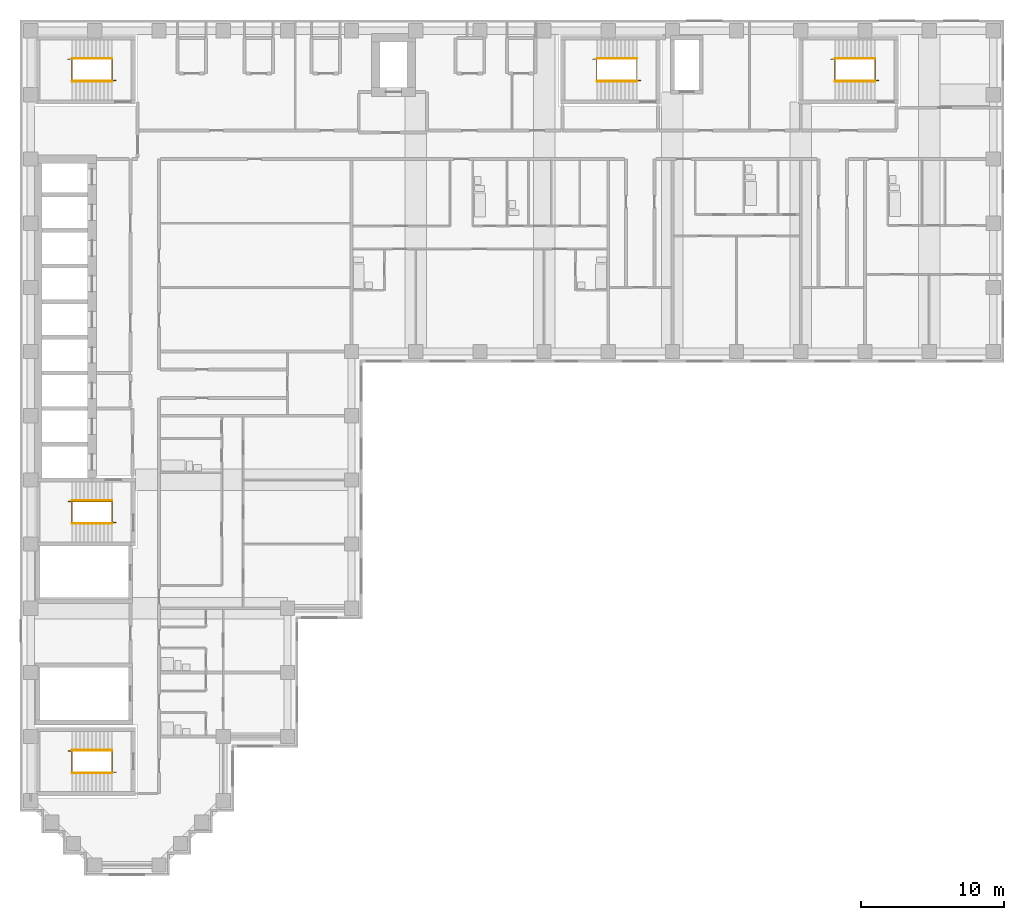
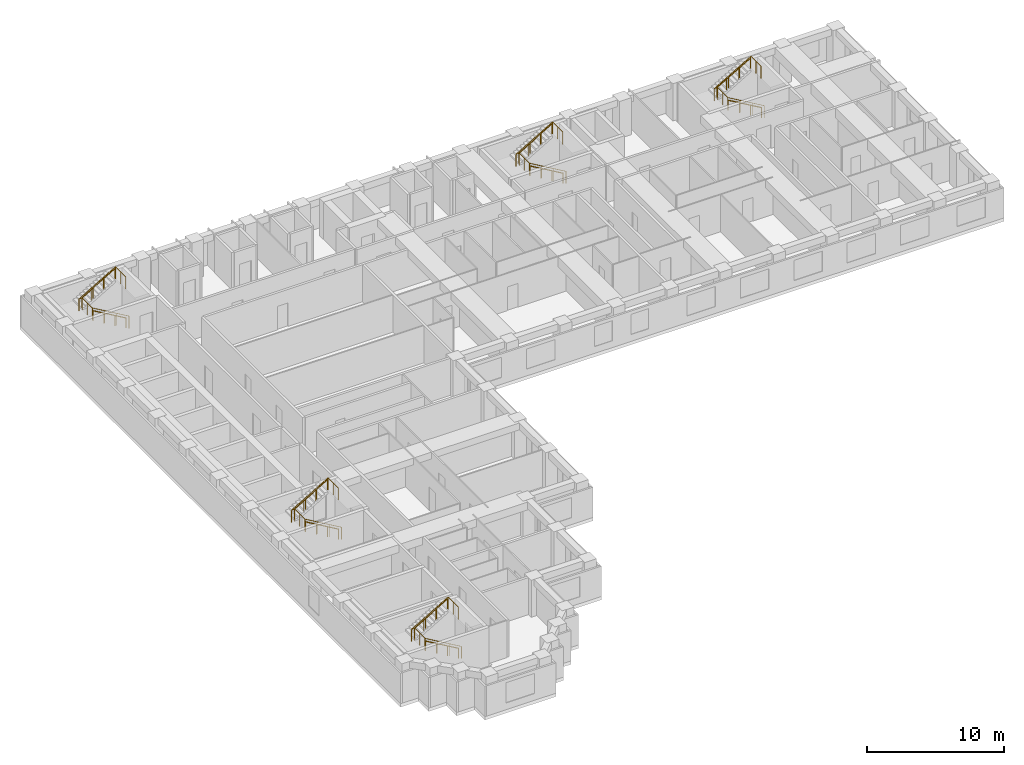
# One storey, part 11 of 12: 15 railings.
"""IFC4 building model written with IfcOpenShell, lengths in metres."""

from ifc_helpers import new_model, si_unit, direction, frame, origin, origin_2d, place, context, subcontext, project, spatial, circle, extrude, material, type_object, element, save


model = new_model("IFC4")

# Units and contexts
model_context = context("Model", 3, precision=1e-05, world=origin(), true_north=direction((0.0, 1.0)))
body_context = subcontext(model_context, "Body", "Model", "MODEL_VIEW")
ifc_project = project(units=[si_unit("LENGTHUNIT", "METRE"), si_unit("AREAUNIT", "SQUARE_METRE"), si_unit("VOLUMEUNIT", "CUBIC_METRE"), si_unit("PLANEANGLEUNIT", "RADIAN"), si_unit("MASSUNIT", "GRAM", prefix="KILO")], contexts=[model_context])

# Site, building, storey
site_placement = place(None, origin())
site = spatial("IfcSite", under=ifc_project, at=site_placement, CompositionType="ELEMENT")
building_placement = place(site_placement, origin())
building = spatial("IfcBuilding", under=site, at=building_placement, Name="Firuza Court", CompositionType="ELEMENT")
storey_placement = place(building_placement, frame((0.0, 0.0, 166.39990234375)))
storey = spatial("IfcBuildingStorey", under=building, at=storey_placement, Name="L42", CompositionType="ELEMENT", Elevation=166.39990234375)

# Railings
ifc_material_1 = material(Name="Steel S355", Category="steel")
railing_type_1 = type_object("IfcRailingType", Name="Handrail 900", PredefinedType="HANDRAIL", material=ifc_material_1)
railing_1_placement = place(storey_placement, frame((42.5, 54.949951171875, 0.163818359375)))
element("IfcRailing", 1, at=railing_1_placement, inside=storey, type_object=railing_type_1, Name="Handrail S1 flight 1", PredefinedType="HANDRAIL", context=body_context, shape_type="SweptSolid", body=[
    extrude(circle(Radius=0.02490234375, at=origin_2d()), frame((0.0, 0.0, 0.875), z_axis=(-0.863393664356, 0.0, 0.504530851732), x_axis=(0.0, -1.0, 0.0)), (0.0, 0.0, 1.0), 3.2431640625),
    extrude(circle(Radius=0.02001953125, at=origin_2d()), origin(), (0.0, 0.0, 1.0), 0.849853515625),
    extrude(circle(Radius=0.02001953125, at=origin_2d()), frame((-0.933349609375, 0.0, 0.54541015625)), (0.0, 0.0, 1.0), 0.849853515625),
    extrude(circle(Radius=0.02001953125, at=origin_2d()), frame((-1.86669921875, 0.0, 1.0908203125)), (0.0, 0.0, 1.0), 0.849853515625),
    extrude(circle(Radius=0.02001953125, at=origin_2d()), frame((-2.800048828125, 0.0, 1.63623046875)), (0.0, 0.0, 1.0), 0.849853515625),
])
railing_2_placement = place(storey_placement, frame((39.699951171875, 56.550048828125, 1.963623046875)))
element("IfcRailing", 2, at=railing_2_placement, inside=storey, type_object=railing_type_1, Name="Handrail S1 flight 2", PredefinedType="HANDRAIL", context=body_context, shape_type="SweptSolid", body=[
    extrude(circle(Radius=0.02490234375, at=origin_2d()), frame((0.0, 0.0, 0.875), z_axis=(0.863360870873, 0.0, 0.504586966384), x_axis=(0.0, 1.0, 0.0)), (0.0, 0.0, 1.0), 3.2431640625),
    extrude(circle(Radius=0.02001953125, at=origin_2d()), origin(), (0.0, 0.0, 1.0), 0.849853515625),
    extrude(circle(Radius=0.02001953125, at=origin_2d()), frame((0.933349609375, 0.0, 0.54541015625)), (0.0, 0.0, 1.0), 0.849853515625),
    extrude(circle(Radius=0.02001953125, at=origin_2d()), frame((1.86669921875, 0.0, 1.091064453125)), (0.0, 0.0, 1.0), 0.849853515625),
    extrude(circle(Radius=0.02001953125, at=origin_2d()), frame((2.800048828125, 0.0, 1.636474609375)), (0.0, 0.0, 1.0), 0.849853515625),
])
railing_3_placement = place(storey_placement, frame((5.699951171875, 23.949951171875, 0.163818359375)))
element("IfcRailing", 3, at=railing_3_placement, inside=storey, type_object=railing_type_1, Name="Handrail S2 flight 1", PredefinedType="HANDRAIL", context=body_context, shape_type="SweptSolid", body=[
    extrude(circle(Radius=0.02490234375, at=origin_2d()), frame((0.0, 0.0, 0.875), z_axis=(-0.863393664356, 0.0, 0.504530851732), x_axis=(0.0, -1.0, 0.0)), (0.0, 0.0, 1.0), 3.2431640625),
    extrude(circle(Radius=0.02001953125, at=origin_2d()), origin(), (0.0, 0.0, 1.0), 0.849853515625),
    extrude(circle(Radius=0.02001953125, at=origin_2d()), frame((-0.933349609375, 0.0, 0.54541015625)), (0.0, 0.0, 1.0), 0.849853515625),
    extrude(circle(Radius=0.02001953125, at=origin_2d()), frame((-1.86669921875, 0.0, 1.0908203125)), (0.0, 0.0, 1.0), 0.849853515625),
    extrude(circle(Radius=0.02001953125, at=origin_2d()), frame((-2.800048828125, 0.0, 1.63623046875)), (0.0, 0.0, 1.0), 0.849853515625),
])
railing_4_placement = place(storey_placement, frame((2.89990234375, 25.550048828125, 1.963623046875)))
element("IfcRailing", 4, at=railing_4_placement, inside=storey, type_object=railing_type_1, Name="Handrail S2 flight 2", PredefinedType="HANDRAIL", context=body_context, shape_type="SweptSolid", body=[
    extrude(circle(Radius=0.02490234375, at=origin_2d()), frame((0.0, 0.0, 0.875), z_axis=(0.863360870873, 0.0, 0.504586966384), x_axis=(0.0, 1.0, 0.0)), (0.0, 0.0, 1.0), 3.2431640625),
    extrude(circle(Radius=0.02001953125, at=origin_2d()), origin(), (0.0, 0.0, 1.0), 0.849853515625),
    extrude(circle(Radius=0.02001953125, at=origin_2d()), frame((0.933349609375, 0.0, 0.54541015625)), (0.0, 0.0, 1.0), 0.849853515625),
    extrude(circle(Radius=0.02001953125, at=origin_2d()), frame((1.86669921875, 0.0, 1.091064453125)), (0.0, 0.0, 1.0), 0.849853515625),
    extrude(circle(Radius=0.02001953125, at=origin_2d()), frame((2.800048828125, 0.0, 1.636474609375)), (0.0, 0.0, 1.0), 0.849853515625),
])
railing_5_placement = place(storey_placement, frame((5.699951171875, 54.949951171875, 0.163818359375)))
element("IfcRailing", 5, at=railing_5_placement, inside=storey, type_object=railing_type_1, Name="Handrail S3 flight 1", PredefinedType="HANDRAIL", context=body_context, shape_type="SweptSolid", body=[
    extrude(circle(Radius=0.02490234375, at=origin_2d()), frame((0.0, 0.0, 0.875), z_axis=(-0.863393664356, 0.0, 0.504530851732), x_axis=(0.0, -1.0, 0.0)), (0.0, 0.0, 1.0), 3.2431640625),
    extrude(circle(Radius=0.02001953125, at=origin_2d()), origin(), (0.0, 0.0, 1.0), 0.849853515625),
    extrude(circle(Radius=0.02001953125, at=origin_2d()), frame((-0.933349609375, 0.0, 0.54541015625)), (0.0, 0.0, 1.0), 0.849853515625),
    extrude(circle(Radius=0.02001953125, at=origin_2d()), frame((-1.86669921875, 0.0, 1.0908203125)), (0.0, 0.0, 1.0), 0.849853515625),
    extrude(circle(Radius=0.02001953125, at=origin_2d()), frame((-2.800048828125, 0.0, 1.63623046875)), (0.0, 0.0, 1.0), 0.849853515625),
])
railing_6_placement = place(storey_placement, frame((2.89990234375, 56.550048828125, 1.963623046875)))
element("IfcRailing", 6, at=railing_6_placement, inside=storey, type_object=railing_type_1, Name="Handrail S3 flight 2", PredefinedType="HANDRAIL", context=body_context, shape_type="SweptSolid", body=[
    extrude(circle(Radius=0.02490234375, at=origin_2d()), frame((0.0, 0.0, 0.875), z_axis=(0.863360870873, 0.0, 0.504586966384), x_axis=(0.0, 1.0, 0.0)), (0.0, 0.0, 1.0), 3.2431640625),
    extrude(circle(Radius=0.02001953125, at=origin_2d()), origin(), (0.0, 0.0, 1.0), 0.849853515625),
    extrude(circle(Radius=0.02001953125, at=origin_2d()), frame((0.933349609375, 0.0, 0.54541015625)), (0.0, 0.0, 1.0), 0.849853515625),
    extrude(circle(Radius=0.02001953125, at=origin_2d()), frame((1.86669921875, 0.0, 1.091064453125)), (0.0, 0.0, 1.0), 0.849853515625),
    extrude(circle(Radius=0.02001953125, at=origin_2d()), frame((2.800048828125, 0.0, 1.636474609375)), (0.0, 0.0, 1.0), 0.849853515625),
])
railing_7_placement = place(storey_placement, frame((59.199951171875, 54.949951171875, 0.163818359375)))
element("IfcRailing", 7, at=railing_7_placement, inside=storey, type_object=railing_type_1, Name="Handrail S4 flight 1", PredefinedType="HANDRAIL", context=body_context, shape_type="SweptSolid", body=[
    extrude(circle(Radius=0.02490234375, at=origin_2d()), frame((0.0, 0.0, 0.875), z_axis=(-0.863393664356, 0.0, 0.504530851732), x_axis=(0.0, -1.0, 0.0)), (0.0, 0.0, 1.0), 3.2431640625),
    extrude(circle(Radius=0.02001953125, at=origin_2d()), origin(), (0.0, 0.0, 1.0), 0.849853515625),
    extrude(circle(Radius=0.02001953125, at=origin_2d()), frame((-0.933349609375, 0.0, 0.54541015625)), (0.0, 0.0, 1.0), 0.849853515625),
    extrude(circle(Radius=0.02001953125, at=origin_2d()), frame((-1.86669921875, 0.0, 1.0908203125)), (0.0, 0.0, 1.0), 0.849853515625),
    extrude(circle(Radius=0.02001953125, at=origin_2d()), frame((-2.800048828125, 0.0, 1.63623046875)), (0.0, 0.0, 1.0), 0.849853515625),
])
railing_8_placement = place(storey_placement, frame((56.39990234375, 56.550048828125, 1.963623046875)))
element("IfcRailing", 8, at=railing_8_placement, inside=storey, type_object=railing_type_1, Name="Handrail S4 flight 2", PredefinedType="HANDRAIL", context=body_context, shape_type="SweptSolid", body=[
    extrude(circle(Radius=0.02490234375, at=origin_2d()), frame((0.0, 0.0, 0.875), z_axis=(0.863360870873, 0.0, 0.504586966384), x_axis=(0.0, 1.0, 0.0)), (0.0, 0.0, 1.0), 3.2431640625),
    extrude(circle(Radius=0.02001953125, at=origin_2d()), origin(), (0.0, 0.0, 1.0), 0.849853515625),
    extrude(circle(Radius=0.02001953125, at=origin_2d()), frame((0.933349609375, 0.0, 0.54541015625)), (0.0, 0.0, 1.0), 0.849853515625),
    extrude(circle(Radius=0.02001953125, at=origin_2d()), frame((1.86669921875, 0.0, 1.091064453125)), (0.0, 0.0, 1.0), 0.849853515625),
    extrude(circle(Radius=0.02001953125, at=origin_2d()), frame((2.800048828125, 0.0, 1.636474609375)), (0.0, 0.0, 1.0), 0.849853515625),
])
railing_9_placement = place(storey_placement, frame((5.699951171875, 6.449951171875, 0.163818359375)))
element("IfcRailing", 9, at=railing_9_placement, inside=storey, type_object=railing_type_1, Name="Handrail S5 flight 1", PredefinedType="HANDRAIL", context=body_context, shape_type="SweptSolid", body=[
    extrude(circle(Radius=0.02490234375, at=origin_2d()), frame((0.0, 0.0, 0.875), z_axis=(-0.863393664356, 0.0, 0.504530851732), x_axis=(0.0, -1.0, 0.0)), (0.0, 0.0, 1.0), 3.2431640625),
    extrude(circle(Radius=0.02001953125, at=origin_2d()), origin(), (0.0, 0.0, 1.0), 0.849853515625),
    extrude(circle(Radius=0.02001953125, at=origin_2d()), frame((-0.933349609375, 0.0, 0.54541015625)), (0.0, 0.0, 1.0), 0.849853515625),
    extrude(circle(Radius=0.02001953125, at=origin_2d()), frame((-1.86669921875, 0.0, 1.0908203125)), (0.0, 0.0, 1.0), 0.849853515625),
    extrude(circle(Radius=0.02001953125, at=origin_2d()), frame((-2.800048828125, 0.0, 1.63623046875)), (0.0, 0.0, 1.0), 0.849853515625),
])
railing_10_placement = place(storey_placement, frame((2.89990234375, 8.050048828125, 1.963623046875)))
element("IfcRailing", 10, at=railing_10_placement, inside=storey, type_object=railing_type_1, Name="Handrail S5 flight 2", PredefinedType="HANDRAIL", context=body_context, shape_type="SweptSolid", body=[
    extrude(circle(Radius=0.02490234375, at=origin_2d()), frame((0.0, 0.0, 0.875), z_axis=(0.863360870873, 0.0, 0.504586966384), x_axis=(0.0, 1.0, 0.0)), (0.0, 0.0, 1.0), 3.2431640625),
    extrude(circle(Radius=0.02001953125, at=origin_2d()), origin(), (0.0, 0.0, 1.0), 0.849853515625),
    extrude(circle(Radius=0.02001953125, at=origin_2d()), frame((0.933349609375, 0.0, 0.54541015625)), (0.0, 0.0, 1.0), 0.849853515625),
    extrude(circle(Radius=0.02001953125, at=origin_2d()), frame((1.86669921875, 0.0, 1.091064453125)), (0.0, 0.0, 1.0), 0.849853515625),
    extrude(circle(Radius=0.02001953125, at=origin_2d()), frame((2.800048828125, 0.0, 1.636474609375)), (0.0, 0.0, 1.0), 0.849853515625),
])
ifc_material_2 = material(Name="Steel S355", Category="steel")
railing_type_2 = type_object("IfcRailingType", Name="Stair guard 1100", PredefinedType="GUARDRAIL", material=ifc_material_2)
railing_11_placement = place(storey_placement, frame((42.780029296875, 55.010009765625, 0.0)))
element("IfcRailing", 11, at=railing_11_placement, inside=storey, type_object=railing_type_2, Name="Stair well guard S1", PredefinedType="GUARDRAIL", context=body_context, shape_type="SweptSolid", body=[
    extrude(circle(Radius=0.02490234375, at=origin_2d()), frame((0.0, 0.0, 1.0751953125), z_axis=(-0.863371556955, 0.0, 0.504568681787), x_axis=(0.0, -1.0, 0.0)), (0.0, 0.0, 1.0), 3.5673828125),
    extrude(circle(Radius=0.02490234375, at=origin_2d()), frame((-3.080078125, 0.0, 2.875), z_axis=(0.0, 1.0, 0.0), x_axis=(-1.0, 0.0, 0.0)), (0.0, 0.0, 1.0), 1.47998046875),
    extrude(circle(Radius=0.02490234375, at=origin_2d()), frame((-3.080078125, 1.47998046875, 2.875), z_axis=(-1.0, 0.0, 0.0), x_axis=(0.0, -1.0, 0.0)), (0.0, 0.0, 1.0), 0.280029296875),
    extrude(circle(Radius=0.02490234375, at=origin_2d()), frame((-3.360107421875, 1.47998046875, 2.875), z_axis=(0.863371556955, 0.0, 0.504568681787), x_axis=(0.0, 1.0, 0.0)), (0.0, 0.0, 1.0), 3.5673828125),
    extrude(circle(Radius=0.02490234375, at=origin_2d()), frame((-0.280029296875, 1.47998046875, 4.67529296875), z_axis=(0.0, -1.0, 0.0), x_axis=(1.0, 0.0, 0.0)), (0.0, 0.0, 1.0), 1.47998046875),
    extrude(circle(Radius=0.02490234375, at=origin_2d()), origin(), (0.0, 0.0, 1.0), 1.050048828125),
    extrude(circle(Radius=0.02490234375, at=origin_2d()), frame((-1.026611328125, 0.0, 0.60009765625)), (0.0, 0.0, 1.0), 1.050048828125),
    extrude(circle(Radius=0.02490234375, at=origin_2d()), frame((-2.053466796875, 0.0, 1.199951171875)), (0.0, 0.0, 1.0), 1.050048828125),
    extrude(circle(Radius=0.02490234375, at=origin_2d()), frame((-3.080078125, 0.0, 1.800048828125)), (0.0, 0.0, 1.0), 1.050048828125),
    extrude(circle(Radius=0.02490234375, at=origin_2d()), frame((-3.080078125, 0.739990234375, 1.800048828125)), (0.0, 0.0, 1.0), 1.050048828125),
    extrude(circle(Radius=0.02490234375, at=origin_2d()), frame((-3.080078125, 1.47998046875, 1.800048828125)), (0.0, 0.0, 1.0), 1.050048828125),
    extrude(circle(Radius=0.02490234375, at=origin_2d()), frame((-3.360107421875, 1.47998046875, 1.800048828125)), (0.0, 0.0, 1.0), 1.050048828125),
    extrude(circle(Radius=0.02490234375, at=origin_2d()), frame((-2.33349609375, 1.47998046875, 2.400146484375)), (0.0, 0.0, 1.0), 1.050048828125),
    extrude(circle(Radius=0.02490234375, at=origin_2d()), frame((-1.306640625, 1.47998046875, 3.0)), (0.0, 0.0, 1.0), 1.050048828125),
    extrude(circle(Radius=0.02490234375, at=origin_2d()), frame((-0.280029296875, 1.47998046875, 3.60009765625)), (0.0, 0.0, 1.0), 1.050048828125),
    extrude(circle(Radius=0.02490234375, at=origin_2d()), frame((-0.280029296875, 0.739990234375, 3.60009765625)), (0.0, 0.0, 1.0), 1.050048828125),
    extrude(circle(Radius=0.02490234375, at=origin_2d()), frame((-0.280029296875, 0.0, 3.60009765625)), (0.0, 0.0, 1.0), 1.050048828125),
])
railing_12_placement = place(storey_placement, frame((5.97998046875, 24.010009765625, 0.0)))
element("IfcRailing", 12, at=railing_12_placement, inside=storey, type_object=railing_type_2, Name="Stair well guard S2", PredefinedType="GUARDRAIL", context=body_context, shape_type="SweptSolid", body=[
    extrude(circle(Radius=0.02490234375, at=origin_2d()), frame((0.0, 0.0, 1.0751953125), z_axis=(-0.863371556955, 0.0, 0.504568681787), x_axis=(0.0, -1.0, 0.0)), (0.0, 0.0, 1.0), 3.5673828125),
    extrude(circle(Radius=0.02490234375, at=origin_2d()), frame((-3.080078125, 0.0, 2.875), z_axis=(0.0, 1.0, 0.0), x_axis=(-1.0, 0.0, 0.0)), (0.0, 0.0, 1.0), 1.47998046875),
    extrude(circle(Radius=0.02490234375, at=origin_2d()), frame((-3.080078125, 1.47998046875, 2.875), z_axis=(-1.0, 0.0, 0.0), x_axis=(0.0, -1.0, 0.0)), (0.0, 0.0, 1.0), 0.27978515625),
    extrude(circle(Radius=0.02490234375, at=origin_2d()), frame((-3.35986328125, 1.47998046875, 2.875), z_axis=(0.863354132664, 0.0, 0.504598495452), x_axis=(0.0, 1.0, 0.0)), (0.0, 0.0, 1.0), 3.5673828125),
    extrude(circle(Radius=0.02490234375, at=origin_2d()), frame((-0.280029296875, 1.47998046875, 4.67529296875), z_axis=(0.0, -1.0, 0.0), x_axis=(1.0, 0.0, 0.0)), (0.0, 0.0, 1.0), 1.47998046875),
    extrude(circle(Radius=0.02490234375, at=origin_2d()), origin(), (0.0, 0.0, 1.0), 1.050048828125),
    extrude(circle(Radius=0.02490234375, at=origin_2d()), frame((-1.026611328125, 0.0, 0.60009765625)), (0.0, 0.0, 1.0), 1.050048828125),
    extrude(circle(Radius=0.02490234375, at=origin_2d()), frame((-2.053466796875, 0.0, 1.199951171875)), (0.0, 0.0, 1.0), 1.050048828125),
    extrude(circle(Radius=0.02490234375, at=origin_2d()), frame((-3.080078125, 0.0, 1.800048828125)), (0.0, 0.0, 1.0), 1.050048828125),
    extrude(circle(Radius=0.02490234375, at=origin_2d()), frame((-3.080078125, 0.739990234375, 1.800048828125)), (0.0, 0.0, 1.0), 1.050048828125),
    extrude(circle(Radius=0.02490234375, at=origin_2d()), frame((-3.080078125, 1.47998046875, 1.800048828125)), (0.0, 0.0, 1.0), 1.050048828125),
    extrude(circle(Radius=0.02490234375, at=origin_2d()), frame((-3.35986328125, 1.47998046875, 1.800048828125)), (0.0, 0.0, 1.0), 1.050048828125),
    extrude(circle(Radius=0.02490234375, at=origin_2d()), frame((-2.333251953125, 1.47998046875, 2.400146484375)), (0.0, 0.0, 1.0), 1.050048828125),
    extrude(circle(Radius=0.02490234375, at=origin_2d()), frame((-1.306640625, 1.47998046875, 3.0)), (0.0, 0.0, 1.0), 1.050048828125),
    extrude(circle(Radius=0.02490234375, at=origin_2d()), frame((-0.280029296875, 1.47998046875, 3.60009765625)), (0.0, 0.0, 1.0), 1.050048828125),
    extrude(circle(Radius=0.02490234375, at=origin_2d()), frame((-0.280029296875, 0.739990234375, 3.60009765625)), (0.0, 0.0, 1.0), 1.050048828125),
    extrude(circle(Radius=0.02490234375, at=origin_2d()), frame((-0.280029296875, 0.0, 3.60009765625)), (0.0, 0.0, 1.0), 1.050048828125),
])
railing_13_placement = place(storey_placement, frame((5.97998046875, 55.010009765625, 0.0)))
element("IfcRailing", 13, at=railing_13_placement, inside=storey, type_object=railing_type_2, Name="Stair well guard S3", PredefinedType="GUARDRAIL", context=body_context, shape_type="SweptSolid", body=[
    extrude(circle(Radius=0.02490234375, at=origin_2d()), frame((0.0, 0.0, 1.0751953125), z_axis=(-0.863371556955, 0.0, 0.504568681787), x_axis=(0.0, -1.0, 0.0)), (0.0, 0.0, 1.0), 3.5673828125),
    extrude(circle(Radius=0.02490234375, at=origin_2d()), frame((-3.080078125, 0.0, 2.875), z_axis=(0.0, 1.0, 0.0), x_axis=(-1.0, 0.0, 0.0)), (0.0, 0.0, 1.0), 1.47998046875),
    extrude(circle(Radius=0.02490234375, at=origin_2d()), frame((-3.080078125, 1.47998046875, 2.875), z_axis=(-1.0, 0.0, 0.0), x_axis=(0.0, -1.0, 0.0)), (0.0, 0.0, 1.0), 0.27978515625),
    extrude(circle(Radius=0.02490234375, at=origin_2d()), frame((-3.35986328125, 1.47998046875, 2.875), z_axis=(0.863354132664, 0.0, 0.504598495452), x_axis=(0.0, 1.0, 0.0)), (0.0, 0.0, 1.0), 3.5673828125),
    extrude(circle(Radius=0.02490234375, at=origin_2d()), frame((-0.280029296875, 1.47998046875, 4.67529296875), z_axis=(0.0, -1.0, 0.0), x_axis=(1.0, 0.0, 0.0)), (0.0, 0.0, 1.0), 1.47998046875),
    extrude(circle(Radius=0.02490234375, at=origin_2d()), origin(), (0.0, 0.0, 1.0), 1.050048828125),
    extrude(circle(Radius=0.02490234375, at=origin_2d()), frame((-1.026611328125, 0.0, 0.60009765625)), (0.0, 0.0, 1.0), 1.050048828125),
    extrude(circle(Radius=0.02490234375, at=origin_2d()), frame((-2.053466796875, 0.0, 1.199951171875)), (0.0, 0.0, 1.0), 1.050048828125),
    extrude(circle(Radius=0.02490234375, at=origin_2d()), frame((-3.080078125, 0.0, 1.800048828125)), (0.0, 0.0, 1.0), 1.050048828125),
    extrude(circle(Radius=0.02490234375, at=origin_2d()), frame((-3.080078125, 0.739990234375, 1.800048828125)), (0.0, 0.0, 1.0), 1.050048828125),
    extrude(circle(Radius=0.02490234375, at=origin_2d()), frame((-3.080078125, 1.47998046875, 1.800048828125)), (0.0, 0.0, 1.0), 1.050048828125),
    extrude(circle(Radius=0.02490234375, at=origin_2d()), frame((-3.35986328125, 1.47998046875, 1.800048828125)), (0.0, 0.0, 1.0), 1.050048828125),
    extrude(circle(Radius=0.02490234375, at=origin_2d()), frame((-2.333251953125, 1.47998046875, 2.400146484375)), (0.0, 0.0, 1.0), 1.050048828125),
    extrude(circle(Radius=0.02490234375, at=origin_2d()), frame((-1.306640625, 1.47998046875, 3.0)), (0.0, 0.0, 1.0), 1.050048828125),
    extrude(circle(Radius=0.02490234375, at=origin_2d()), frame((-0.280029296875, 1.47998046875, 3.60009765625)), (0.0, 0.0, 1.0), 1.050048828125),
    extrude(circle(Radius=0.02490234375, at=origin_2d()), frame((-0.280029296875, 0.739990234375, 3.60009765625)), (0.0, 0.0, 1.0), 1.050048828125),
    extrude(circle(Radius=0.02490234375, at=origin_2d()), frame((-0.280029296875, 0.0, 3.60009765625)), (0.0, 0.0, 1.0), 1.050048828125),
])
railing_14_placement = place(storey_placement, frame((59.47998046875, 55.010009765625, 0.0)))
element("IfcRailing", 14, at=railing_14_placement, inside=storey, type_object=railing_type_2, Name="Stair well guard S4", PredefinedType="GUARDRAIL", context=body_context, shape_type="SweptSolid", body=[
    extrude(circle(Radius=0.02490234375, at=origin_2d()), frame((0.0, 0.0, 1.0751953125), z_axis=(-0.863371556955, 0.0, 0.504568681787), x_axis=(0.0, -1.0, 0.0)), (0.0, 0.0, 1.0), 3.5673828125),
    extrude(circle(Radius=0.02490234375, at=origin_2d()), frame((-3.080078125, 0.0, 2.875), z_axis=(0.0, 1.0, 0.0), x_axis=(-1.0, 0.0, 0.0)), (0.0, 0.0, 1.0), 1.47998046875),
    extrude(circle(Radius=0.02490234375, at=origin_2d()), frame((-3.080078125, 1.47998046875, 2.875), z_axis=(-1.0, 0.0, 0.0), x_axis=(0.0, -1.0, 0.0)), (0.0, 0.0, 1.0), 0.27978515625),
    extrude(circle(Radius=0.02490234375, at=origin_2d()), frame((-3.35986328125, 1.47998046875, 2.875), z_axis=(0.863354132664, 0.0, 0.504598495452), x_axis=(0.0, 1.0, 0.0)), (0.0, 0.0, 1.0), 3.5673828125),
    extrude(circle(Radius=0.02490234375, at=origin_2d()), frame((-0.280029296875, 1.47998046875, 4.67529296875), z_axis=(0.0, -1.0, 0.0), x_axis=(1.0, 0.0, 0.0)), (0.0, 0.0, 1.0), 1.47998046875),
    extrude(circle(Radius=0.02490234375, at=origin_2d()), origin(), (0.0, 0.0, 1.0), 1.050048828125),
    extrude(circle(Radius=0.02490234375, at=origin_2d()), frame((-1.026611328125, 0.0, 0.60009765625)), (0.0, 0.0, 1.0), 1.050048828125),
    extrude(circle(Radius=0.02490234375, at=origin_2d()), frame((-2.053466796875, 0.0, 1.199951171875)), (0.0, 0.0, 1.0), 1.050048828125),
    extrude(circle(Radius=0.02490234375, at=origin_2d()), frame((-3.080078125, 0.0, 1.800048828125)), (0.0, 0.0, 1.0), 1.050048828125),
    extrude(circle(Radius=0.02490234375, at=origin_2d()), frame((-3.080078125, 0.739990234375, 1.800048828125)), (0.0, 0.0, 1.0), 1.050048828125),
    extrude(circle(Radius=0.02490234375, at=origin_2d()), frame((-3.080078125, 1.47998046875, 1.800048828125)), (0.0, 0.0, 1.0), 1.050048828125),
    extrude(circle(Radius=0.02490234375, at=origin_2d()), frame((-3.35986328125, 1.47998046875, 1.800048828125)), (0.0, 0.0, 1.0), 1.050048828125),
    extrude(circle(Radius=0.02490234375, at=origin_2d()), frame((-2.333251953125, 1.47998046875, 2.400146484375)), (0.0, 0.0, 1.0), 1.050048828125),
    extrude(circle(Radius=0.02490234375, at=origin_2d()), frame((-1.306640625, 1.47998046875, 3.0)), (0.0, 0.0, 1.0), 1.050048828125),
    extrude(circle(Radius=0.02490234375, at=origin_2d()), frame((-0.280029296875, 1.47998046875, 3.60009765625)), (0.0, 0.0, 1.0), 1.050048828125),
    extrude(circle(Radius=0.02490234375, at=origin_2d()), frame((-0.280029296875, 0.739990234375, 3.60009765625)), (0.0, 0.0, 1.0), 1.050048828125),
    extrude(circle(Radius=0.02490234375, at=origin_2d()), frame((-0.280029296875, 0.0, 3.60009765625)), (0.0, 0.0, 1.0), 1.050048828125),
])
railing_15_placement = place(storey_placement, frame((5.97998046875, 6.510009765625, 0.0)))
element("IfcRailing", 15, at=railing_15_placement, inside=storey, type_object=railing_type_2, Name="Stair well guard S5", PredefinedType="GUARDRAIL", context=body_context, shape_type="SweptSolid", body=[
    extrude(circle(Radius=0.02490234375, at=origin_2d()), frame((0.0, 0.0, 1.0751953125), z_axis=(-0.863371556955, 0.0, 0.504568681787), x_axis=(0.0, -1.0, 0.0)), (0.0, 0.0, 1.0), 3.5673828125),
    extrude(circle(Radius=0.02490234375, at=origin_2d()), frame((-3.080078125, 0.0, 2.875), z_axis=(0.0, 1.0, 0.0), x_axis=(-1.0, 0.0, 0.0)), (0.0, 0.0, 1.0), 1.47998046875),
    extrude(circle(Radius=0.02490234375, at=origin_2d()), frame((-3.080078125, 1.47998046875, 2.875), z_axis=(-1.0, 0.0, 0.0), x_axis=(0.0, -1.0, 0.0)), (0.0, 0.0, 1.0), 0.27978515625),
    extrude(circle(Radius=0.02490234375, at=origin_2d()), frame((-3.35986328125, 1.47998046875, 2.875), z_axis=(0.863354132664, 0.0, 0.504598495452), x_axis=(0.0, 1.0, 0.0)), (0.0, 0.0, 1.0), 3.5673828125),
    extrude(circle(Radius=0.02490234375, at=origin_2d()), frame((-0.280029296875, 1.47998046875, 4.67529296875), z_axis=(0.0, -1.0, 0.0), x_axis=(1.0, 0.0, 0.0)), (0.0, 0.0, 1.0), 1.47998046875),
    extrude(circle(Radius=0.02490234375, at=origin_2d()), origin(), (0.0, 0.0, 1.0), 1.050048828125),
    extrude(circle(Radius=0.02490234375, at=origin_2d()), frame((-1.026611328125, 0.0, 0.60009765625)), (0.0, 0.0, 1.0), 1.050048828125),
    extrude(circle(Radius=0.02490234375, at=origin_2d()), frame((-2.053466796875, 0.0, 1.199951171875)), (0.0, 0.0, 1.0), 1.050048828125),
    extrude(circle(Radius=0.02490234375, at=origin_2d()), frame((-3.080078125, 0.0, 1.800048828125)), (0.0, 0.0, 1.0), 1.050048828125),
    extrude(circle(Radius=0.02490234375, at=origin_2d()), frame((-3.080078125, 0.739990234375, 1.800048828125)), (0.0, 0.0, 1.0), 1.050048828125),
    extrude(circle(Radius=0.02490234375, at=origin_2d()), frame((-3.080078125, 1.47998046875, 1.800048828125)), (0.0, 0.0, 1.0), 1.050048828125),
    extrude(circle(Radius=0.02490234375, at=origin_2d()), frame((-3.35986328125, 1.47998046875, 1.800048828125)), (0.0, 0.0, 1.0), 1.050048828125),
    extrude(circle(Radius=0.02490234375, at=origin_2d()), frame((-2.333251953125, 1.47998046875, 2.400146484375)), (0.0, 0.0, 1.0), 1.050048828125),
    extrude(circle(Radius=0.02490234375, at=origin_2d()), frame((-1.306640625, 1.47998046875, 3.0)), (0.0, 0.0, 1.0), 1.050048828125),
    extrude(circle(Radius=0.02490234375, at=origin_2d()), frame((-0.280029296875, 1.47998046875, 3.60009765625)), (0.0, 0.0, 1.0), 1.050048828125),
    extrude(circle(Radius=0.02490234375, at=origin_2d()), frame((-0.280029296875, 0.739990234375, 3.60009765625)), (0.0, 0.0, 1.0), 1.050048828125),
    extrude(circle(Radius=0.02490234375, at=origin_2d()), frame((-0.280029296875, 0.0, 3.60009765625)), (0.0, 0.0, 1.0), 1.050048828125),
])

save(model, "model.ifc")
